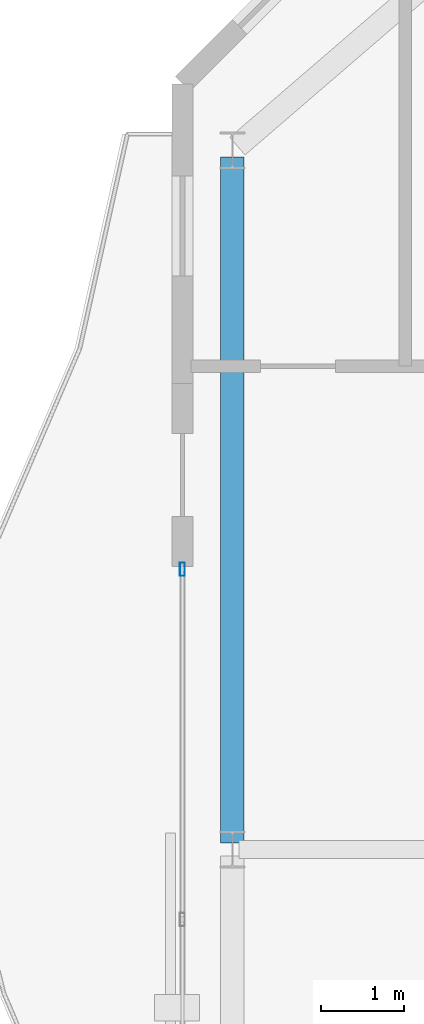
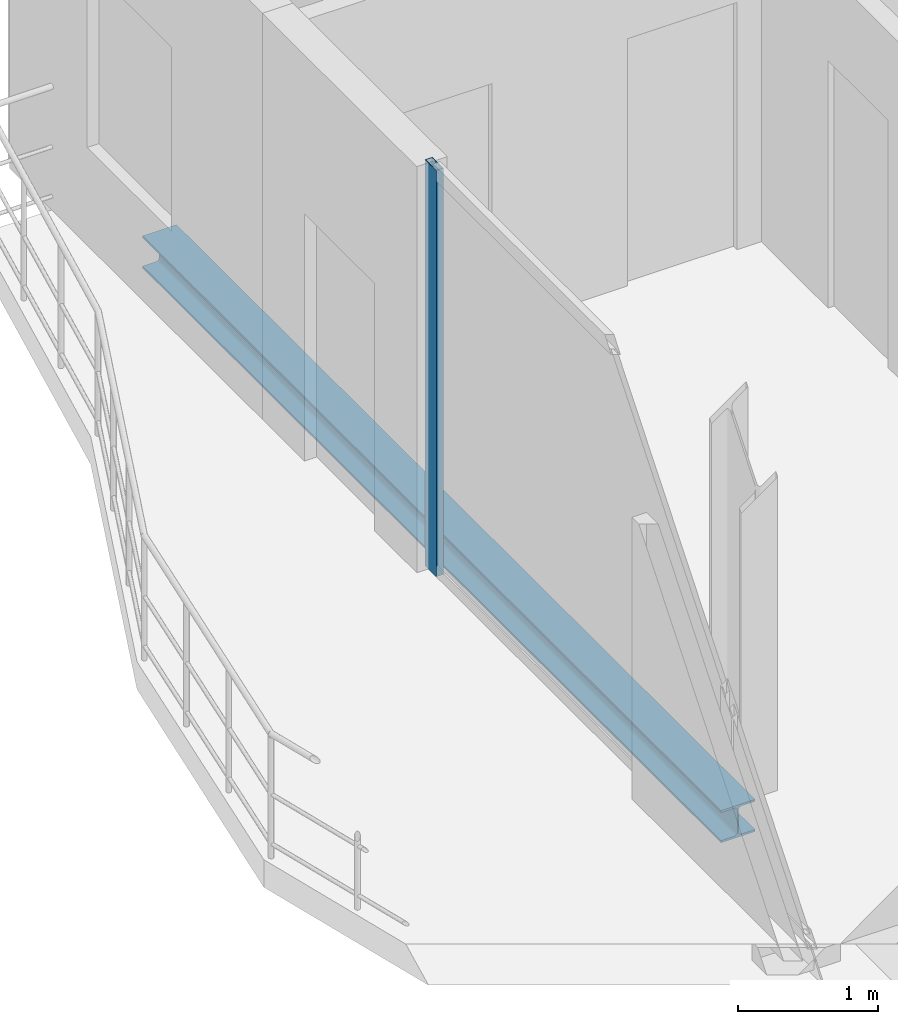
# One storey, part 12 of 22: 1 beam, 1 member, 1 element without a shape of its own.
"""IFC4 building model written with IfcOpenShell, lengths in metres."""

from ifc_helpers import new_model, si_unit, direction, frame, origin, origin_2d, place, context, subcontext, project, spatial, hollow_rectangle, i_section, extrude, material, layer, layer_set, material_profile, profile_set, type_object, element, aggregate, save


model = new_model("IFC4")

# Units and contexts
model_context = context("Model", 3, precision=1e-05, world=origin(), true_north=direction((0.0, 1.0)))
body_context = subcontext(model_context, "Body", "Model", "MODEL_VIEW")
ifc_project = project(units=[si_unit("LENGTHUNIT", "METRE"), si_unit("AREAUNIT", "SQUARE_METRE"), si_unit("VOLUMEUNIT", "CUBIC_METRE"), si_unit("PLANEANGLEUNIT", "RADIAN"), si_unit("MASSUNIT", "GRAM", prefix="KILO")], contexts=[model_context])

# Site, building, storey
site_placement = place(None, origin())
site = spatial("IfcSite", under=ifc_project, at=site_placement, CompositionType="ELEMENT")
building_placement = place(site_placement, origin())
building = spatial("IfcBuilding", under=site, at=building_placement, Name="Catumbela Crestline Tower", CompositionType="ELEMENT")
storey_placement = place(building_placement, frame((0.0, 0.0, 222.2)))
storey = spatial("IfcBuildingStorey", under=building, at=storey_placement, Name="L57", CompositionType="ELEMENT", Elevation=222.2)

# Curtain wall, member
ifc_material_1 = material(Name="Aluminium alloy AW-6060-T66", Category="aluminium")
ifc_layer = layer(ifc_material_1, 0.18, Name="Aluminium alloy AW-6060-T66")
ifc_layer_set = layer_set([ifc_layer], Name="Aluminium alloy AW-6060-T66")
curtain_wall_type = type_object("IfcCurtainWallType", Name="CWU-Z4", PredefinedType="USERDEFINED", material=ifc_layer_set)
curtain_wall_placement = place(storey_placement, origin())
curtain_wall = element("IfcCurtainWall", 1, at=curtain_wall_placement, inside=storey, type_object=curtain_wall_type, Name="L57 Unitised Curtain Wall CW-L57-E9S2", ObjectType="UNITISED", PredefinedType="USERDEFINED")
ifc_material_profile_1 = material_profile(ifc_material_1, hollow_rectangle(XDim=0.06, YDim=0.16, WallThickness=0.004, at=origin_2d()), Name="ALU 160x60x4")
ifc_profile_set_1 = profile_set([ifc_material_profile_1], Name="Aluminium alloy AW-6060-T66")
member_type = type_object("IfcMemberType", Name="MUL-160X60", PredefinedType="MULLION", material=ifc_profile_set_1)
member_placement = place(storey_placement, frame((5.0, 34.1675, 0.0), z_axis=(0.0, 0.0, 1.0), x_axis=(1.0, 0.0, 0.0)))
member = element("IfcMember", 2, at=member_placement, type_object=member_type, Name="CWU-Z4 mullion 1", PredefinedType="MULLION", context=body_context, shape_type="SweptSolid", body=[
    extrude(hollow_rectangle(XDim=0.06, YDim=0.16, WallThickness=0.004, at=origin_2d()), origin(), (0.0, 0.0, 1.0), 3.53),
])
aggregate(curtain_wall, [member])

# Beam
ifc_material_2 = material(Name="Structural steel S355J2", Category="steel")
ifc_material_profile_2 = material_profile(ifc_material_2, i_section(OverallWidth=0.28, OverallDepth=0.28, WebThickness=0.0105, FlangeThickness=0.018, FilletRadius=0.024, at=origin_2d()), Name="HEB 280")
ifc_profile_set_2 = profile_set([ifc_material_profile_2], Name="Structural steel S355J2")
beam_type = type_object("IfcBeamType", Name="BS-HEB280", PredefinedType="SPANDREL", material=ifc_profile_set_2)
beam_placement = place(storey_placement, frame((5.6, 30.88, -0.4), z_axis=(0.0, 1.0, 0.0), x_axis=(-1.0, 0.0, 0.0)))
element("IfcBeam", 3, at=beam_placement, inside=storey, type_object=beam_type, Name="L57 Spandrel SP-L57-SN13", PredefinedType="SPANDREL", context=body_context, shape_type="SweptSolid", body=[
    extrude(i_section(OverallWidth=0.28, OverallDepth=0.28, WebThickness=0.0105, FlangeThickness=0.018, FilletRadius=0.024, at=origin_2d()), origin(), (0.0, 0.0, 1.0), 8.24),
])

save(model, "model.ifc")
